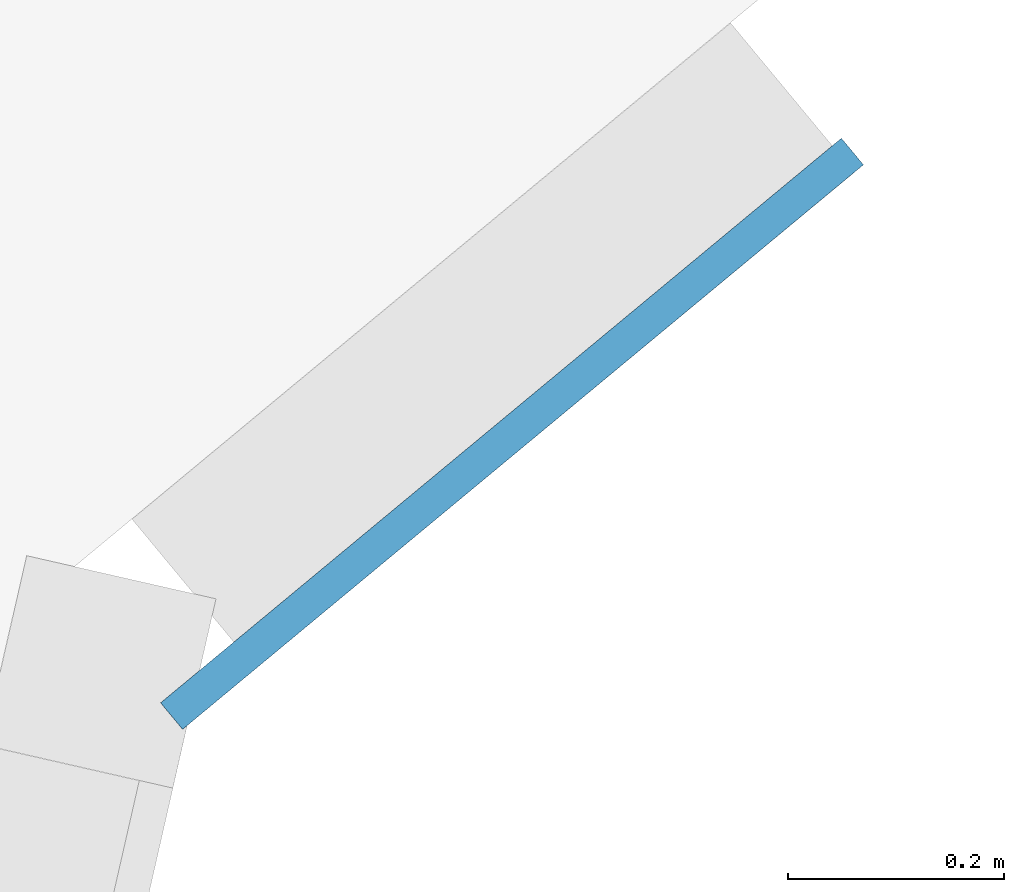
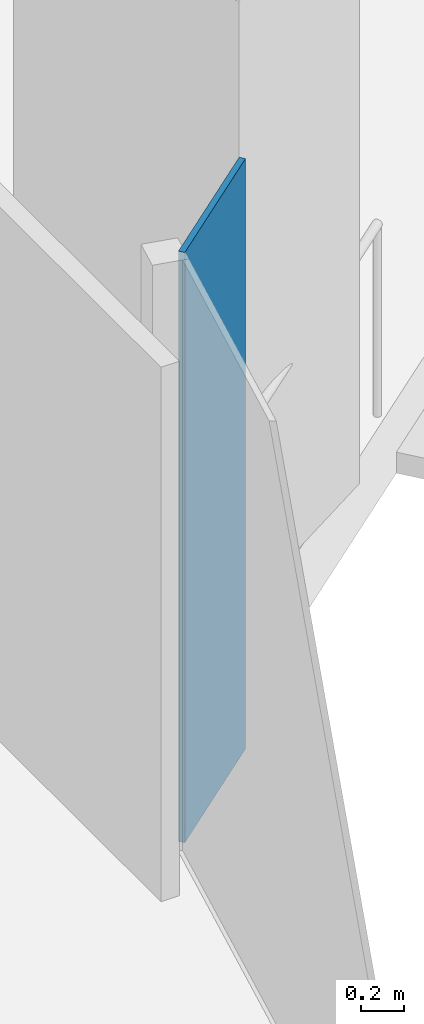
# One storey, part 14 of 28: 1 plate, 1 element without a shape of its own.
"""IFC4 building model written with IfcOpenShell, lengths in metres."""

from ifc_helpers import new_model, si_unit, direction, frame, origin, origin_2d, place, context, subcontext, project, spatial, rectangle, extrude, material, layer, layer_set, type_object, element, aggregate, save


model = new_model("IFC4")

# Units and contexts
model_context = context("Model", 3, precision=1e-05, world=origin(), true_north=direction((0.0, 1.0)))
body_context = subcontext(model_context, "Body", "Model", "MODEL_VIEW")
ifc_project = project(units=[si_unit("LENGTHUNIT", "METRE"), si_unit("AREAUNIT", "SQUARE_METRE"), si_unit("VOLUMEUNIT", "CUBIC_METRE"), si_unit("PLANEANGLEUNIT", "RADIAN"), si_unit("MASSUNIT", "GRAM", prefix="KILO")], contexts=[model_context])

# Site, building, storey
site_placement = place(None, origin())
site = spatial("IfcSite", under=ifc_project, at=site_placement, CompositionType="ELEMENT")
building_placement = place(site_placement, origin())
building = spatial("IfcBuilding", under=site, at=building_placement, Name="Orlundy Tower", CompositionType="ELEMENT")
storey_placement = place(building_placement, frame((0.0, 0.0, 167.10009765625)))
storey = spatial("IfcBuildingStorey", under=building, at=storey_placement, Name="L43", CompositionType="ELEMENT", Elevation=167.10009765625)

# Curtain wall, plate
ifc_material_1 = material(Name="Aluminium bronze anodised", Category="aluminium")
curtain_wall_type = type_object("IfcCurtainWallType", Name="CW1 wall", PredefinedType="NOTDEFINED", material=ifc_material_1)
curtain_wall_placement = place(storey_placement, origin())
curtain_wall = element("IfcCurtainWall", 1, at=curtain_wall_placement, inside=storey, type_object=curtain_wall_type, Name="CW1 run 017", PredefinedType="NOTDEFINED")
ifc_material_2 = material(Name="Tinted glass", Category="glass")
ifc_layer = layer(ifc_material_2, 0.031982421875)
ifc_layer_set = layer_set([ifc_layer], Name="CW1 glass panel 32")
plate_type = type_object("IfcPlateType", Name="CW1 glass panel 32", PredefinedType="CURTAIN_PANEL", material=ifc_layer_set)
plate_placement = place(storey_placement, frame((14.80712890625, -26.906982421875, -0.300048828125), z_axis=(0.0, 0.0, 1.0), x_axis=(-0.769761799816, -0.638331239674, 0.0)))
plate = element("IfcPlate", 2, at=plate_placement, type_object=plate_type, Name="CW1 panel", PredefinedType="CURTAIN_PANEL", context=body_context, shape_type="SweptSolid", body=[
    extrude(rectangle(XDim=0.81982421875, YDim=0.031982421875, at=origin_2d()), origin(), (0.0, 0.0, 1.0), 3.3798828125),
])
aggregate(curtain_wall, [plate])

save(model, "model.ifc")
